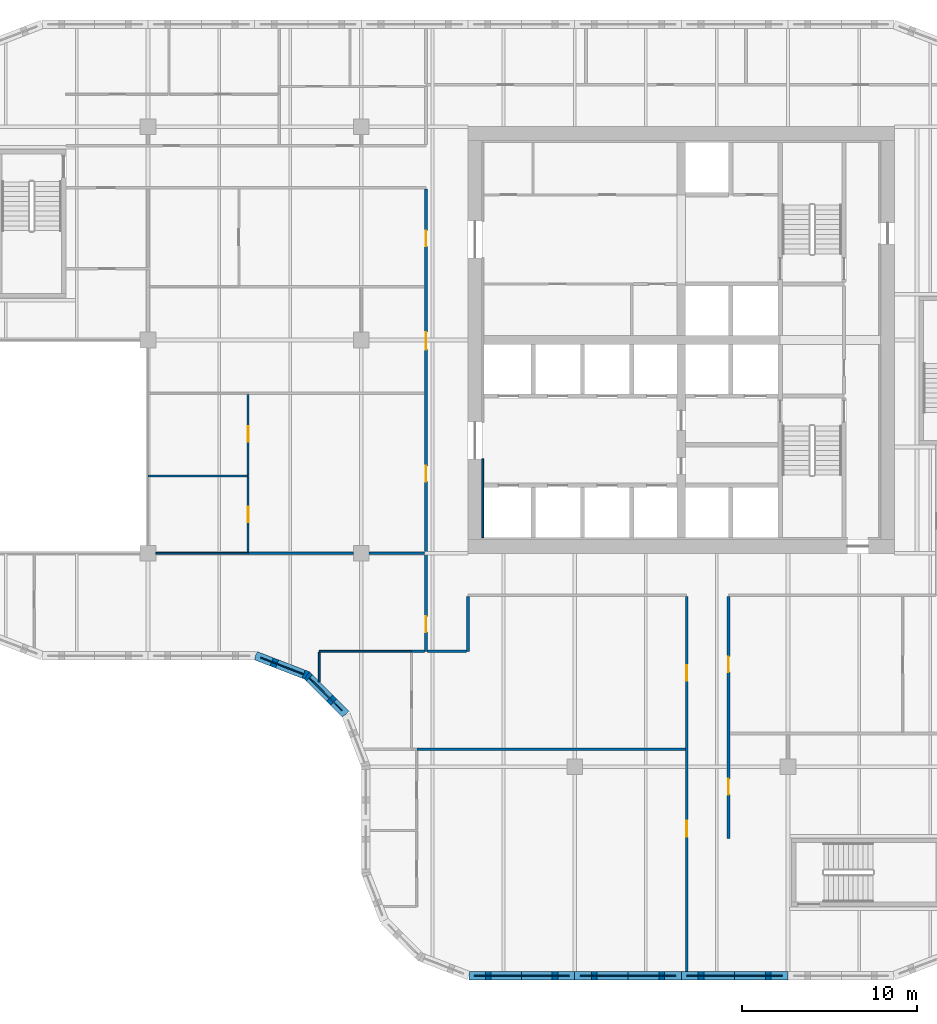
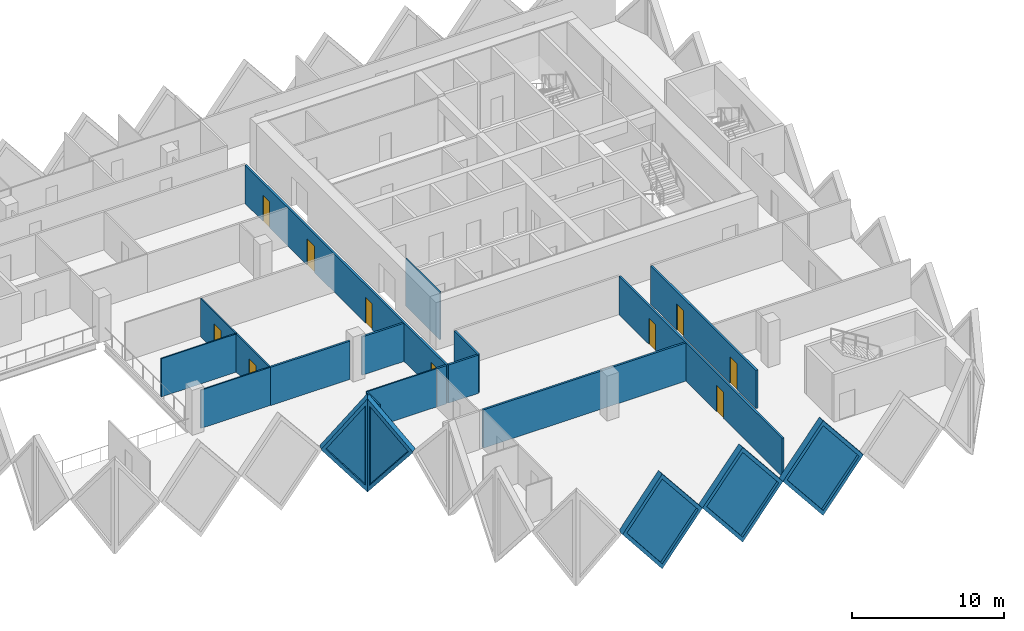
# One storey, part 5 of 18: 21 walls, 10 doors, 5 plates, 15 openings.
"""IFC4 building model written with IfcOpenShell, lengths in metres."""

import ifcopenshell
import ifcopenshell.guid

model = None  # the IFC model being written
_history = None  # IfcOwnerHistory: only IFC2X3 demands one
_inside = {}  # id of a spatial element -> (the spatial element, [elements in it])
_under = {}  # id of a project, library or spatial element -> (it, [spatial elements below it])
_declared = {}  # id of a project -> (the project, [libraries it declares])
_typed = {}  # id of a type object -> (the type object, [elements of that type])
_made_of = {}  # id of a material, layer set ... -> (it, [elements and type objects made of it])


def new_model(schema):
    """Start an empty IFC model of exactly this schema.

    Asked for "IFC4X3", IfcOpenShell would pick the latest addendum, in which some entities
    have other attributes; the version numbers below select the first issue.
    IFC2X3 requires an IfcOwnerHistory on every rooted entity: one is made here for all.
    """
    global model, _history
    if schema == "IFC4X3":
        model = ifcopenshell.file(schema_version=(4, 3, 0, 0))
    else:
        model = ifcopenshell.file(schema=schema)
    _inside.clear()
    _under.clear()
    _declared.clear()
    _typed.clear()
    _made_of.clear()
    _history = None
    if model.schema == "IFC2X3":
        org = make("IfcOrganization", Name="unknown")
        user = make(
            "IfcPersonAndOrganization",
            ThePerson=make("IfcPerson", FamilyName="unknown"),
            TheOrganization=org,
        )
        app = make(
            "IfcApplication",
            ApplicationDeveloper=org,
            Version="unknown",
            ApplicationFullName="unknown",
            ApplicationIdentifier="unknown",
        )
        _history = make(
            "IfcOwnerHistory",
            OwningUser=user,
            OwningApplication=app,
            ChangeAction="ADDED",
            CreationDate=0,
        )
    return model


def make(cls, **values):
    """One entity of the class cls with the attributes given. An attribute that is None is left unset."""
    return model.create_entity(
        cls, **{name: value for name, value in values.items() if value is not None}
    )


def rooted(cls, **values):
    """An entity with a GlobalId (a new one), such as an element, a storey or a relation."""
    return make(cls, GlobalId=ifcopenshell.guid.new(), OwnerHistory=_history, **values)


def si_unit(unit_type, name, prefix=None):
    """IfcSIUnit, for example si_unit("LENGTHUNIT", "METRE", prefix="MILLI")."""
    return make("IfcSIUnit", UnitType=unit_type, Prefix=prefix, Name=name)


def assignment(units):
    """IfcUnitAssignment: the units of a project."""
    return None if units is None else make("IfcUnitAssignment", Units=units)


def point(xyz):
    """IfcCartesianPoint."""
    return None if xyz is None else make("IfcCartesianPoint", Coordinates=xyz)


def direction(xyz):
    """IfcDirection."""
    return None if xyz is None else make("IfcDirection", DirectionRatios=xyz)


def frame(location, z_axis=None, x_axis=None):
    """IfcAxis2Placement3D, a coordinate frame: its origin and axes. An axis left out is left unset."""
    return make(
        "IfcAxis2Placement3D",
        Location=point(location),
        Axis=direction(z_axis),
        RefDirection=direction(x_axis),
    )


def frame_2d(location, x_axis=None):
    """IfcAxis2Placement2D, a coordinate frame in the plane: its origin and x axis."""
    return make(
        "IfcAxis2Placement2D", Location=point(location), RefDirection=direction(x_axis)
    )


def origin():
    """The frame at (0, 0, 0) with its axes left unset."""
    return frame((0.0, 0.0, 0.0))


def place(relative_to, where):
    """IfcLocalPlacement: puts the frame where relative to a parent placement (None: the world)."""
    return make(
        "IfcLocalPlacement", PlacementRelTo=relative_to, RelativePlacement=where
    )


def context(
    kind, dimensions, precision=None, world=None, true_north=None, identifier=None
):
    """IfcGeometricRepresentationContext, for example the 3D "Model" context."""
    return make(
        "IfcGeometricRepresentationContext",
        ContextIdentifier=identifier,
        ContextType=kind,
        CoordinateSpaceDimension=dimensions,
        Precision=precision,
        WorldCoordinateSystem=world,
        TrueNorth=true_north,
    )


def subcontext(parent, identifier, kind, view, scale=None):
    """IfcGeometricRepresentationSubContext, for example "Body" below "Model"."""
    return make(
        "IfcGeometricRepresentationSubContext",
        ContextIdentifier=identifier,
        ContextType=kind,
        ParentContext=parent,
        TargetScale=scale,
        TargetView=view,
    )


def project(units=None, contexts=None):
    """IfcProject with its units and contexts."""
    return rooted(
        "IfcProject",
        Name="project",
        RepresentationContexts=contexts,
        UnitsInContext=assignment(units),
    )


def spatial(cls, under=None, at=None, **own):
    """A site, building, storey or space (cls), placed at a placement, below another one or the project."""
    s = rooted(cls, ObjectPlacement=at, **own)
    if under is not None:
        _under.setdefault(under.id(), (under, []))[1].append(s)
    return s


def polyline(points):
    """IfcPolyline through the points."""
    return make("IfcPolyline", Points=[point(p) for p in points])


def profile(cls, at=None, kind="AREA", **sizes):
    """A parametric profile (cls). Its sizes go by their IFC names, for example OverallWidth=200.0."""
    return make(cls, ProfileType=kind, Position=at, **sizes)


def rectangle(**sizes):
    """IfcRectangleProfileDef."""
    return profile("IfcRectangleProfileDef", **sizes)


def outline(outer, holes=None, kind="AREA"):
    """IfcArbitraryClosedProfileDef: a profile drawn as a closed curve; with holes, ...WithVoids."""
    if holes is None:
        return make("IfcArbitraryClosedProfileDef", ProfileType=kind, OuterCurve=outer)
    return make(
        "IfcArbitraryProfileDefWithVoids",
        ProfileType=kind,
        OuterCurve=outer,
        InnerCurves=holes,
    )


def extrude(swept, where, along, depth):
    """IfcExtrudedAreaSolid: the profile swept, set in the frame where, extruded along a direction by depth."""
    return make(
        "IfcExtrudedAreaSolid",
        SweptArea=swept,
        Position=where,
        ExtrudedDirection=direction(along),
        Depth=depth,
    )


def faces_of(points, faces, orient=None, outer=None):
    """IfcFace entities. A face is a list of loops; a loop is a list of indices into points, from 0.

    orient and outer hold one flag for each loop. By default every Orientation is true, the
    first loop of a face is its IfcFaceOuterBound and the others are IfcFaceBound.
    """
    made = []
    for i, loops in enumerate(faces):
        bounds = []
        for j, loop in enumerate(loops):
            is_outer = j == 0 if outer is None else outer[i][j]
            bounds.append(
                make(
                    "IfcFaceOuterBound" if is_outer else "IfcFaceBound",
                    Bound=make("IfcPolyLoop", Polygon=[points[k] for k in loop]),
                    Orientation=True if orient is None else orient[i][j],
                )
            )
        made.append(make("IfcFace", Bounds=bounds))
    return made


def faceted_brep(points, faces, orient=None, outer=None, voids=None):
    """IfcFacetedBrep: a solid bounded by flat faces; with voids (closed shells), ...WithVoids."""
    shared = [point(p) for p in points]
    hull = make("IfcClosedShell", CfsFaces=faces_of(shared, faces, orient, outer))
    if voids is None:
        return make("IfcFacetedBrep", Outer=hull)
    return make(
        "IfcFacetedBrepWithVoids",
        Outer=hull,
        Voids=[
            make(cls, CfsFaces=faces_of(shared, fs, o, b)) for cls, fs, o, b in voids
        ],
    )


def shape(context_of_items, identifier, shape_type, items):
    """IfcShapeRepresentation: the items that make up one representation, for example the "Body"."""
    return make(
        "IfcShapeRepresentation",
        ContextOfItems=context_of_items,
        RepresentationIdentifier=identifier,
        RepresentationType=shape_type,
        Items=items,
    )


def source(mapping_origin, context_of_items, identifier, shape_type, items):
    """IfcRepresentationMap: a shape defined once, which mapped items show again and again."""
    return make(
        "IfcRepresentationMap",
        MappingOrigin=mapping_origin,
        MappedRepresentation=shape(context_of_items, identifier, shape_type, items),
    )


def transform(
    local_origin,
    x_axis=None,
    y_axis=None,
    z_axis=None,
    scale=None,
    scale2=None,
    scale3=None,
    uniform=True,
):
    """IfcCartesianTransformationOperator3D, or its non-uniform kind. x_axis, y_axis, z_axis: its Axis1, 2, 3."""
    if uniform:
        return make(
            "IfcCartesianTransformationOperator3D",
            Axis1=direction(x_axis),
            Axis2=direction(y_axis),
            LocalOrigin=point(local_origin),
            Scale=scale,
            Axis3=direction(z_axis),
        )
    return make(
        "IfcCartesianTransformationOperator3DnonUniform",
        Axis1=direction(x_axis),
        Axis2=direction(y_axis),
        LocalOrigin=point(local_origin),
        Scale=scale,
        Axis3=direction(z_axis),
        Scale2=scale2,
        Scale3=scale3,
    )


def mapped(mapping_source, mapping_target):
    """IfcMappedItem: shows the shape of a source again, moved by a transform."""
    return make(
        "IfcMappedItem", MappingSource=mapping_source, MappingTarget=mapping_target
    )


def material(Name=None, Category=None):
    """IfcMaterial."""
    return make("IfcMaterial", Name=Name, Category=Category)


def layer(
    of_material, thickness, ventilated=None, Name=None, Category=None, Priority=None
):
    """IfcMaterialLayer: one layer of a wall or slab, of a material (None: an air gap)."""
    return make(
        "IfcMaterialLayer",
        Material=of_material,
        LayerThickness=thickness,
        IsVentilated=ventilated,
        Name=Name,
        Category=Category,
        Priority=Priority,
    )


def layer_set(layers, Name=None):
    """IfcMaterialLayerSet."""
    return make("IfcMaterialLayerSet", MaterialLayers=layers, LayerSetName=Name)


def made_of(thing, what):
    """Note that an element or type object is made of a material, layer set ...; save() writes the relation."""
    if what is not None:
        _made_of.setdefault(what.id(), (what, []))[1].append(thing)
    return thing


def type_object(cls, material=None, **own):
    """A type object (cls), such as IfcWallType, which elements share."""
    return made_of(rooted(cls, **own), material)


def element(
    cls,
    number,
    at=None,
    inside=None,
    cuts=None,
    type_object=None,
    material=None,
    context=None,
    identifier="Body",
    shape_type=None,
    held_by="IfcProductDefinitionShape",
    body=None,
    shapes=None,
    **own,
):
    """One element of the class cls, such as IfcWall. Its Tag is "e" and its number.

    at: its placement. inside: the storey or other place that contains it. cuts: it is an
    opening in that element (IfcRelVoidsElement). A single representation is given by context,
    identifier, shape_type and body (its items); several are given by shapes. held_by: the class
    of the entity that holds the representations. save() writes the other relations.
    """
    e = rooted(cls, Tag="e%d" % number, ObjectPlacement=at, **own)
    if body is not None:
        shapes = [shape(context, identifier, shape_type, body)]
    if shapes is not None:
        e.Representation = make(held_by, Representations=shapes)
    if inside is not None:
        _inside.setdefault(inside.id(), (inside, []))[1].append(e)
    if cuts is not None:
        rooted(
            "IfcRelVoidsElement", RelatingBuildingElement=cuts, RelatedOpeningElement=e
        )
    if type_object is not None:
        _typed.setdefault(type_object.id(), (type_object, []))[1].append(e)
    return made_of(e, material)


def fill(opening, filler):
    """IfcRelFillsElement: the door or window that sits in an opening."""
    return rooted(
        "IfcRelFillsElement",
        RelatingOpeningElement=opening,
        RelatedBuildingElement=filler,
    )


def aggregate(whole, parts):
    """IfcRelAggregates: a whole, such as a stair, and the parts it consists of."""
    return rooted("IfcRelAggregates", RelatingObject=whole, RelatedObjects=parts)


def save(model, path):
    """Write the relations noted so far, then the file.

    IfcRelAggregates (storeys below a building ...), IfcRelContainedInSpatialStructure (elements
    in a storey), IfcRelDefinesByType, IfcRelAssociatesMaterial and IfcRelDeclares: one each for
    every whole, place, type object, material and project.
    """
    for whole, parts in _under.values():
        aggregate(whole, parts)
    for where, things in _inside.values():
        rooted(
            "IfcRelContainedInSpatialStructure",
            RelatedElements=things,
            RelatingStructure=where,
        )
    for kind, things in _typed.values():
        rooted("IfcRelDefinesByType", RelatedObjects=things, RelatingType=kind)
    for what, things in _made_of.values():
        rooted("IfcRelAssociatesMaterial", RelatedObjects=things, RelatingMaterial=what)
    for by, libraries in _declared.values():
        rooted("IfcRelDeclares", RelatingContext=by, RelatedDefinitions=libraries)
    model.write(path)


model = new_model("IFC4")

# Units and contexts
model_context = context("Model", 3, precision=1e-05, world=origin(), true_north=direction((0.0, 1.0)))
body_context = subcontext(model_context, "Body", "Model", "MODEL_VIEW")
ifc_project = project(units=[si_unit("LENGTHUNIT", "METRE"), si_unit("AREAUNIT", "SQUARE_METRE"), si_unit("VOLUMEUNIT", "CUBIC_METRE"), si_unit("PLANEANGLEUNIT", "RADIAN"), si_unit("MASSUNIT", "GRAM", prefix="KILO")], contexts=[model_context])

# Site, building, storey
site_placement = place(None, origin())
site = spatial("IfcSite", under=ifc_project, at=site_placement, CompositionType="ELEMENT")
building_placement = place(site_placement, origin())
building = spatial("IfcBuilding", under=site, at=building_placement, Name="Tessera Gate Towers", CompositionType="ELEMENT")
storey_placement = place(building_placement, frame((0.0, 0.0, 95.199951171875)))
storey = spatial("IfcBuildingStorey", under=building, at=storey_placement, Name="L23", CompositionType="ELEMENT", Elevation=95.199951171875)

# Wall
ifc_material_1 = material(Name="Concrete C60/75", Category="concrete")
ifc_layer_1 = layer(ifc_material_1, 0.10009765625)
ifc_layer_set_1 = layer_set([ifc_layer_1], Name="CORE WALL THICKENING 100")
wall_type_1 = type_object("IfcWallType", Name="CORE WALL THICKENING 100", PredefinedType="SOLIDWALL", material=ifc_layer_set_1)
wall_1_placement = place(storey_placement, frame((31.35009765625, 25.300048828125, 0.0), z_axis=(0.0, 0.0, 1.0), x_axis=(0.0, 1.0, 0.0)))
element("IfcWall", 1, at=wall_1_placement, inside=storey, type_object=wall_type_1, Name="Core wall thickening W L23", PredefinedType="SOLIDWALL", context=body_context, shape_type="SweptSolid", body=[
    extrude(rectangle(XDim=4.5, YDim=0.10009765625, at=frame_2d((2.25, 0.0))), origin(), (0.0, 0.0, 1.0), 3.800048828125),
])

# Wall, openings, doors
ifc_material_2 = material(Name="Gypsum board on steel studs, mineral wool", Category="steel")
ifc_layer_2 = layer(ifc_material_2, 0.14990234375)
ifc_layer_set_2 = layer_set([ifc_layer_2], Name="CORRIDOR WALL 150")
wall_type_2 = type_object("IfcWallType", Name="CORRIDOR WALL 150", PredefinedType="PARTITIONING", material=ifc_layer_set_2)
wall_2_placement = place(storey_placement, frame((43.0, 0.5, 0.0), z_axis=(0.0, 0.0, 1.0), x_axis=(0.0, 1.0, 0.0)))
wall_2 = element("IfcWall", 2, at=wall_2_placement, inside=storey, type_object=wall_type_2, Name="T1-L23-PW-001", PredefinedType="PARTITIONING", context=body_context, shape_type="SweptSolid", body=[
    extrude(rectangle(XDim=21.424072265625, YDim=0.14990234375, at=frame_2d((10.7119140625, 0.0))), origin(), (0.0, 0.0, 1.0), 3.067138671875),
])
shared_shape_1 = source(origin(), body_context, "Body", "SweptSolid", [
    extrude(rectangle(XDim=0.89990234375, YDim=2.10009765625, at=frame_2d((0.449951171875, 1.050048828125))), frame((0.0, 0.0849609375, 0.0), z_axis=(0.0, -1.0, 0.0), x_axis=(1.0, 0.0, 0.0)), (0.0, 0.0, 1.0), 0.169921875),
])
opening_1_placement = place(wall_2_placement, frame((16.60107421875, 0.0, 0.0)))
opening_1 = element("IfcOpeningElement", 3, at=opening_1_placement, cuts=wall_2, Name="Opening D890FD60-A08-07", PredefinedType="OPENING", context=body_context, shape_type="MappedRepresentation", body=[
    mapped(shared_shape_1, transform((0.0, 0.0, 0.0), scale=1.0)),
])
opening_2_placement = place(wall_2_placement, frame((7.699951171875, 0.0, 0.0)))
opening_2 = element("IfcOpeningElement", 4, at=opening_2_placement, cuts=wall_2, Name="Opening D890FD60-A08-08", PredefinedType="OPENING", context=body_context, shape_type="MappedRepresentation", body=[
    mapped(shared_shape_1, transform((0.0, 0.0, 0.0), scale=1.0)),
])
ifc_material_3 = material(Name="Timber door leaf in steel frame", Category="steel")
door_type_1 = type_object("IfcDoorType", Name="CORRIDOR DOOR 900 FD60", OperationType="NOTDEFINED", PredefinedType="DOOR", material=ifc_material_3)
shared_shape_2 = source(origin(), body_context, "Body", "SweptSolid", [
    extrude(rectangle(XDim=0.89990234375, YDim=2.10009765625, at=frame_2d((0.449951171875, 1.050048828125))), frame((0.0, 0.02490234375, 0.0), z_axis=(0.0, -1.0, 0.0), x_axis=(1.0, 0.0, 0.0)), (0.0, 0.0, 1.0), 0.050048828125),
])
door_1_placement = place(opening_1_placement, origin())
door_1 = element("IfcDoor", 5, at=door_1_placement, inside=storey, type_object=door_type_1, Name="T1-L23-PD-022", OperationType="SINGLE_SWING_LEFT", OverallHeight=2.10009765625, OverallWidth=0.89990234375, PredefinedType="DOOR", context=body_context, shape_type="MappedRepresentation", body=[
    mapped(shared_shape_2, transform((0.0, 0.0, 0.0), scale=1.0)),
])
fill(opening_1, door_1)
door_2_placement = place(opening_2_placement, origin())
door_2 = element("IfcDoor", 6, at=door_2_placement, inside=storey, type_object=door_type_1, Name="T1-L23-PD-023", OperationType="SINGLE_SWING_LEFT", OverallHeight=2.10009765625, OverallWidth=0.89990234375, PredefinedType="DOOR", context=body_context, shape_type="MappedRepresentation", body=[
    mapped(shared_shape_2, transform((0.0, 0.0, 0.0), scale=1.0)),
])
fill(opening_2, door_2)

wall_3_placement = place(storey_placement, frame((45.39990234375, 21.924072265625, 0.0), z_axis=(0.0, 0.0, 1.0), x_axis=(0.0, -1.0, 0.0)))
wall_3 = element("IfcWall", 7, at=wall_3_placement, inside=storey, type_object=wall_type_2, Name="T1-L23-PW-005", PredefinedType="PARTITIONING", context=body_context, shape_type="SweptSolid", body=[
    extrude(rectangle(XDim=13.823974609375, YDim=0.14990234375, at=frame_2d((6.912109375, 0.0))), origin(), (0.0, 0.0, 1.0), 3.067138671875),
])
opening_3_placement = place(wall_3_placement, frame((10.424072265625, 0.0, 0.0)))
opening_3 = element("IfcOpeningElement", 8, at=opening_3_placement, cuts=wall_3, Name="Opening D890FD60-A08-03", PredefinedType="OPENING", context=body_context, shape_type="MappedRepresentation", body=[
    mapped(shared_shape_1, transform((0.0, 0.0, 0.0), scale=1.0)),
])
opening_4_placement = place(wall_3_placement, frame((3.424072265625, 0.0, 0.0)))
opening_4 = element("IfcOpeningElement", 9, at=opening_4_placement, cuts=wall_3, Name="Opening D890FD60-A08-04", PredefinedType="OPENING", context=body_context, shape_type="MappedRepresentation", body=[
    mapped(shared_shape_1, transform((0.0, 0.0, 0.0), scale=1.0)),
])
door_3_placement = place(opening_3_placement, origin())
door_3 = element("IfcDoor", 10, at=door_3_placement, inside=storey, type_object=door_type_1, Name="T1-L23-PD-014", OperationType="SINGLE_SWING_RIGHT", OverallHeight=2.10009765625, OverallWidth=0.89990234375, PredefinedType="DOOR", context=body_context, shape_type="MappedRepresentation", body=[
    mapped(shared_shape_2, transform((0.0, 0.0, 0.0), scale=1.0)),
])
fill(opening_3, door_3)
door_4_placement = place(opening_4_placement, origin())
door_4 = element("IfcDoor", 11, at=door_4_placement, inside=storey, type_object=door_type_1, Name="T1-L23-PD-019", OperationType="SINGLE_SWING_RIGHT", OverallHeight=2.10009765625, OverallWidth=0.89990234375, PredefinedType="DOOR", context=body_context, shape_type="MappedRepresentation", body=[
    mapped(shared_shape_2, transform((0.0, 0.0, 0.0), scale=1.0)),
])
fill(opening_4, door_4)

wall_4_placement = place(storey_placement, frame((28.10009765625, 18.800048828125, 0.0), z_axis=(0.0, 0.0, 1.0), x_axis=(0.0, 1.0, 0.0)))
wall_4 = element("IfcWall", 12, at=wall_4_placement, inside=storey, type_object=wall_type_2, Name="T1-L23-PW-018", PredefinedType="PARTITIONING", context=body_context, shape_type="SweptSolid", body=[
    extrude(rectangle(XDim=26.424072265625, YDim=0.14990234375, at=frame_2d((13.2119140625, 0.0))), origin(), (0.0, 0.0, 1.0), 3.067138671875),
])
opening_5_placement = place(wall_4_placement, frame((1.10009765625, 0.0, 0.0)))
opening_5 = element("IfcOpeningElement", 13, at=opening_5_placement, cuts=wall_4, Name="Opening D890FD60-A08-01", PredefinedType="OPENING", context=body_context, shape_type="MappedRepresentation", body=[
    mapped(shared_shape_1, transform((0.0, 0.0, 0.0), scale=1.0)),
])
opening_6_placement = place(wall_4_placement, frame((23.15087890625, 0.0, 0.0)))
opening_6 = element("IfcOpeningElement", 14, at=opening_6_placement, cuts=wall_4, Name="Opening D890FD60-A08-02", PredefinedType="OPENING", context=body_context, shape_type="MappedRepresentation", body=[
    mapped(shared_shape_1, transform((0.0, 0.0, 0.0), scale=1.0)),
])
shared_shape_3 = source(origin(), body_context, "Body", "SweptSolid", [
    extrude(rectangle(XDim=1.0, YDim=2.10009765625, at=frame_2d((0.5, 1.050048828125))), frame((0.0, 0.0849609375, 0.0), z_axis=(0.0, -1.0, 0.0), x_axis=(1.0, 0.0, 0.0)), (0.0, 0.0, 1.0), 0.169921875),
])
opening_7_placement = place(wall_4_placement, frame((17.2509765625, 0.0, 0.0)))
opening_7 = element("IfcOpeningElement", 15, at=opening_7_placement, cuts=wall_4, Name="Opening D2100FD60-A08-02", PredefinedType="OPENING", context=body_context, shape_type="MappedRepresentation", body=[
    mapped(shared_shape_3, transform((0.0, 0.0, 0.0), scale=1.0)),
])
opening_8_placement = place(wall_4_placement, frame((9.699951171875, 0.0, 0.0)))
opening_8 = element("IfcOpeningElement", 16, at=opening_8_placement, cuts=wall_4, Name="Opening D890FD60-A08-11", PredefinedType="OPENING", context=body_context, shape_type="MappedRepresentation", body=[
    mapped(shared_shape_1, transform((0.0, 0.0, 0.0), scale=1.0)),
])
door_5_placement = place(opening_5_placement, origin())
door_5 = element("IfcDoor", 17, at=door_5_placement, inside=storey, type_object=door_type_1, Name="T1-L23-PD-001", OperationType="SINGLE_SWING_LEFT", OverallHeight=2.10009765625, OverallWidth=0.89990234375, PredefinedType="DOOR", context=body_context, shape_type="MappedRepresentation", body=[
    mapped(shared_shape_2, transform((0.0, 0.0, 0.0), scale=1.0)),
])
fill(opening_5, door_5)
door_6_placement = place(opening_6_placement, origin())
door_6 = element("IfcDoor", 18, at=door_6_placement, inside=storey, type_object=door_type_1, Name="T1-L23-PD-012", OperationType="SINGLE_SWING_LEFT", OverallHeight=2.10009765625, OverallWidth=0.89990234375, PredefinedType="DOOR", context=body_context, shape_type="MappedRepresentation", body=[
    mapped(shared_shape_2, transform((0.0, 0.0, 0.0), scale=1.0)),
])
fill(opening_6, door_6)
door_7_placement = place(opening_8_placement, origin())
door_7 = element("IfcDoor", 19, at=door_7_placement, inside=storey, type_object=door_type_1, Name="T1-L23-PD-026", OperationType="SINGLE_SWING_LEFT", OverallHeight=2.10009765625, OverallWidth=0.89990234375, PredefinedType="DOOR", context=body_context, shape_type="MappedRepresentation", body=[
    mapped(shared_shape_2, transform((0.0, 0.0, 0.0), scale=1.0)),
])
fill(opening_8, door_7)
ifc_material_4 = material(Name="Timber door leaf in steel frame", Category="steel")
door_type_2 = type_object("IfcDoorType", Name="TENANCY ENTRANCE DOOR 1000 FD60", OperationType="NOTDEFINED", PredefinedType="DOOR", material=ifc_material_4)
shared_shape_4 = source(origin(), body_context, "Body", "SweptSolid", [
    extrude(rectangle(XDim=1.0, YDim=2.10009765625, at=frame_2d((0.5, 1.050048828125))), frame((0.0, 0.02490234375, 0.0), z_axis=(0.0, -1.0, 0.0), x_axis=(1.0, 0.0, 0.0)), (0.0, 0.0, 1.0), 0.050048828125),
])
door_8_placement = place(opening_7_placement, origin())
door_8 = element("IfcDoor", 20, at=door_8_placement, inside=storey, type_object=door_type_2, Name="T1-L23-PD-015", OperationType="SINGLE_SWING_LEFT", OverallHeight=2.10009765625, OverallWidth=1.0, PredefinedType="DOOR", context=body_context, shape_type="MappedRepresentation", body=[
    mapped(shared_shape_4, transform((0.0, 0.0, 0.0), scale=1.0)),
])
fill(opening_7, door_8)

# Walls
wall_5_placement = place(storey_placement, frame((28.176025390625, 18.800048828125, 0.0), z_axis=(0.0, 0.0, 1.0), x_axis=(1.0, 0.0, 0.0)))
element("IfcWall", 21, at=wall_5_placement, inside=storey, type_object=wall_type_2, Name="T1-L23-PW-019", PredefinedType="PARTITIONING", context=body_context, shape_type="SweptSolid", body=[
    extrude(rectangle(XDim=2.248046875, YDim=0.14990234375, at=frame_2d((1.1240234375, 0.0))), origin(), (0.0, 0.0, 1.0), 3.067138671875),
])
wall_6_placement = place(storey_placement, frame((30.5, 18.800048828125, 0.0), z_axis=(0.0, 0.0, 1.0), x_axis=(0.0, 1.0, 0.0)))
element("IfcWall", 22, at=wall_6_placement, inside=storey, type_object=wall_type_2, Name="T1-L23-PW-020", PredefinedType="PARTITIONING", context=body_context, shape_type="SweptSolid", body=[
    extrude(rectangle(XDim=3.1240234375, YDim=0.14990234375, at=frame_2d((1.56201171875, 0.0))), origin(), (0.0, 0.0, 1.0), 3.067138671875),
])
ifc_material_5 = material(Name="Glass", Category="glass")
ifc_layer_3 = layer(ifc_material_5, 0.10009765625)
ifc_layer_set_3 = layer_set([ifc_layer_3], Name="GLAZED PARTITION 100")
wall_type_3 = type_object("IfcWallType", Name="GLAZED PARTITION 100", PredefinedType="PARTITIONING", material=ifc_layer_set_3)
wall_7_placement = place(storey_placement, frame((22.0, 17.054931640625, 0.0), z_axis=(0.0, 0.0, 1.0), x_axis=(0.0, 1.0, 0.0)))
element("IfcWall", 23, at=wall_7_placement, inside=storey, type_object=wall_type_3, Name="T1-L23-PW-015", PredefinedType="PARTITIONING", context=body_context, shape_type="SweptSolid", body=[
    extrude(rectangle(XDim=1.694091796875, YDim=0.10009765625, at=frame_2d((0.84716796875, 0.0))), origin(), (0.0, 0.0, 1.0), 3.067138671875),
])
wall_8_placement = place(storey_placement, frame((22.0, 18.800048828125, 0.0), z_axis=(0.0, 0.0, 1.0), x_axis=(1.0, 0.0, 0.0)))
element("IfcWall", 24, at=wall_8_placement, inside=storey, type_object=wall_type_3, Name="T1-L23-PW-016", PredefinedType="PARTITIONING", context=body_context, shape_type="SweptSolid", body=[
    extrude(rectangle(XDim=5.27392578125, YDim=0.10009765625, at=frame_2d((2.636962890625, 0.0))), origin(), (0.0, 0.0, 1.0), 3.067138671875),
])
wall_9_placement = place(storey_placement, frame((12.65087890625, 24.39990234375, 0.0), z_axis=(0.0, 0.0, 1.0), x_axis=(1.0, 0.0, 0.0)))
element("IfcWall", 25, at=wall_9_placement, inside=storey, type_object=wall_type_3, Name="T1-L23-PW-026", PredefinedType="PARTITIONING", context=body_context, shape_type="SweptSolid", body=[
    extrude(rectangle(XDim=5.273193359375, YDim=0.10009765625, at=frame_2d((2.63671875, 0.0))), origin(), (0.0, 0.0, 1.0), 3.067138671875),
])

# Wall, opening, door
wall_10_placement = place(storey_placement, frame((17.925048828125, 24.47607421875, 0.0), z_axis=(0.0, 0.0, 1.0), x_axis=(0.0, 1.0, 0.0)))
wall_10 = element("IfcWall", 26, at=wall_10_placement, inside=storey, type_object=wall_type_3, Name="T1-L23-PW-029", PredefinedType="PARTITIONING", context=body_context, shape_type="SweptSolid", body=[
    extrude(rectangle(XDim=4.293212890625, YDim=0.10009765625, at=frame_2d((2.146484375, 0.0))), origin(), (0.0, 0.0, 1.0), 3.067138671875),
])
shared_shape_5 = source(origin(), body_context, "Body", "SweptSolid", [
    extrude(rectangle(XDim=0.89990234375, YDim=2.10009765625, at=frame_2d((0.449951171875, 1.050048828125))), frame((0.0, 0.06005859375, 0.0), z_axis=(0.0, -1.0, 0.0), x_axis=(1.0, 0.0, 0.0)), (0.0, 0.0, 1.0), 0.1201171875),
])
opening_9_placement = place(wall_10_placement, frame((1.699951171875, 0.0, 0.0)))
opening_9 = element("IfcOpeningElement", 27, at=opening_9_placement, cuts=wall_10, Name="Opening D690-A08-01", PredefinedType="OPENING", context=body_context, shape_type="MappedRepresentation", body=[
    mapped(shared_shape_5, transform((0.0, 0.0, 0.0), scale=1.0)),
])
ifc_material_6 = material(Name="Glass in aluminium frame", Category="aluminium")
door_type_3 = type_object("IfcDoorType", Name="GLAZED DOOR 900 NOT RATED", OperationType="NOTDEFINED", PredefinedType="DOOR", material=ifc_material_6)
door_9_placement = place(opening_9_placement, origin())
door_9 = element("IfcDoor", 28, at=door_9_placement, inside=storey, type_object=door_type_3, Name="T1-L23-PD-004", OperationType="SINGLE_SWING_LEFT", OverallHeight=2.10009765625, OverallWidth=0.89990234375, PredefinedType="DOOR", context=body_context, shape_type="MappedRepresentation", body=[
    mapped(shared_shape_2, transform((0.0, 0.0, 0.0), scale=1.0)),
])
fill(opening_9, door_9)

wall_11_placement = place(storey_placement, frame((17.925048828125, 28.871337890625, 0.0), z_axis=(0.0, 0.0, 1.0), x_axis=(0.0, 1.0, 0.0)))
wall_11 = element("IfcWall", 29, at=wall_11_placement, inside=storey, type_object=wall_type_3, Name="T1-L23-PW-031", PredefinedType="PARTITIONING", context=body_context, shape_type="SweptSolid", body=[
    extrude(rectangle(XDim=4.602783203125, YDim=0.10009765625, at=frame_2d((2.30126953125, 0.0))), origin(), (0.0, 0.0, 1.0), 3.067138671875),
])
opening_10_placement = place(wall_11_placement, frame((1.89990234375, 0.0, 0.0)))
opening_10 = element("IfcOpeningElement", 30, at=opening_10_placement, cuts=wall_11, Name="Opening D690-A08-03", PredefinedType="OPENING", context=body_context, shape_type="MappedRepresentation", body=[
    mapped(shared_shape_5, transform((0.0, 0.0, 0.0), scale=1.0)),
])
door_10_placement = place(opening_10_placement, origin())
door_10 = element("IfcDoor", 31, at=door_10_placement, inside=storey, type_object=door_type_3, Name="T1-L23-PD-006", OperationType="SINGLE_SWING_LEFT", OverallHeight=2.10009765625, OverallWidth=0.89990234375, PredefinedType="DOOR", context=body_context, shape_type="MappedRepresentation", body=[
    mapped(shared_shape_2, transform((0.0, 0.0, 0.0), scale=1.0)),
])
fill(opening_10, door_10)

# Walls
ifc_material_7 = material(Name="Gypsum board on steel studs", Category="steel")
ifc_layer_4 = layer(ifc_material_7, 0.10009765625)
ifc_layer_set_4 = layer_set([ifc_layer_4], Name="PARTITION 100")
wall_type_4 = type_object("IfcWallType", Name="PARTITION 100", PredefinedType="PARTITIONING", material=ifc_layer_set_4)
wall_12_placement = place(storey_placement, frame((12.199951171875, 28.820068359375, 0.0), z_axis=(0.0, 0.0, 1.0), x_axis=(1.0, 0.0, 0.0)))
element("IfcWall", 32, at=wall_12_placement, inside=storey, type_object=wall_type_4, Name="T1-L23-PW-030", PredefinedType="PARTITIONING", context=body_context, shape_type="SweptSolid", body=[
    extrude(rectangle(XDim=5.72509765625, YDim=0.10009765625, at=frame_2d((2.862548828125, 0.0))), origin(), (0.0, 0.0, 1.0), 3.067138671875),
])
ifc_material_8 = material(Name="Gypsum board on steel studs, mineral wool", Category="steel")
ifc_layer_5 = layer(ifc_material_8, 0.14990234375)
ifc_layer_set_5 = layer_set([ifc_layer_5], Name="TENANCY WALL 150")
wall_type_5 = type_object("IfcWallType", Name="TENANCY WALL 150", PredefinedType="PARTITIONING", material=ifc_layer_set_5)
wall_13_placement = place(storey_placement, frame((27.574951171875, 13.199951171875, 0.0), z_axis=(0.0, 0.0, 1.0), x_axis=(1.0, 0.0, 0.0)))
element("IfcWall", 33, at=wall_13_placement, inside=storey, type_object=wall_type_5, Name="T1-L23-PW-011", PredefinedType="PARTITIONING", context=body_context, shape_type="SweptSolid", body=[
    extrude(rectangle(XDim=15.34912109375, YDim=0.14990234375, at=frame_2d((7.674560546875, 0.0))), origin(), (0.0, 0.0, 1.0), 3.067138671875),
])
wall_14_placement = place(storey_placement, frame((27.27490234375, 18.800048828125, 0.0), z_axis=(0.0, 0.0, 1.0), x_axis=(1.0, 0.0, 0.0)))
element("IfcWall", 34, at=wall_14_placement, inside=storey, type_object=wall_type_5, Name="T1-L23-PW-017", PredefinedType="PARTITIONING", context=body_context, shape_type="SweptSolid", body=[
    extrude(rectangle(XDim=0.7490234375, YDim=0.14990234375, at=frame_2d((0.37451171875, 0.0))), origin(), (0.0, 0.0, 1.0), 3.067138671875),
])
wall_15_placement = place(storey_placement, frame((17.925048828125, 24.39990234375, 0.0), z_axis=(0.0, 0.0, 1.0), x_axis=(1.0, 0.0, 0.0)))
element("IfcWall", 35, at=wall_15_placement, inside=storey, type_object=wall_type_5, Name="T1-L23-PW-027", PredefinedType="PARTITIONING", context=body_context, shape_type="SweptSolid", body=[
    extrude(rectangle(XDim=6.02392578125, YDim=0.14990234375, at=frame_2d((3.011962890625, 0.0))), origin(), (0.0, 0.0, 1.0), 3.067138671875),
])
wall_16_placement = place(storey_placement, frame((24.85107421875, 24.39990234375, 0.0), z_axis=(0.0, 0.0, 1.0), x_axis=(1.0, 0.0, 0.0)))
element("IfcWall", 36, at=wall_16_placement, inside=storey, type_object=wall_type_5, Name="T1-L23-PW-028", PredefinedType="PARTITIONING", context=body_context, shape_type="SweptSolid", body=[
    extrude(rectangle(XDim=3.1728515625, YDim=0.14990234375, at=frame_2d((1.58642578125, 0.0))), origin(), (0.0, 0.0, 1.0), 3.067138671875),
])

# Wall, opening, plate
ifc_material_9 = material(Name="Precast concrete C60/75 white", Category="concrete")
ifc_layer_6 = layer(ifc_material_9, 0.5)
ifc_layer_set_6 = layer_set([ifc_layer_6], Name="TS1 tessera")
wall_type_6 = type_object("IfcWallType", Name="TS1 tessera", PredefinedType="SOLIDWALL", material=ifc_layer_set_6)
shared_shape_6 = source(origin(), body_context, "Body", "Brep", [
    faceted_brep([(3.00341796875, -0.25, 0.0), (6.053466796875, -0.25, 3.800048828125), (3.00341796875, -0.25, 7.60009765625), (0.0, -0.25, 3.800048828125), (0.046630859375, 0.25, 3.85888671875), (3.00341796875, 0.25, 7.60009765625), (6.053466796875, 0.25, 3.800048828125), (3.00341796875, 0.25, 0.0), (0.046630859375, 0.25, 3.7412109375), (0.0, 0.0, 3.800048828125)], [[[0, 1, 2, 3]], [[4, 5, 6, 7, 8]], [[7, 6, 1, 0]], [[6, 5, 2, 1]], [[5, 4, 9, 3, 2]], [[8, 7, 0, 3, 9]], [[8, 9, 4]]]),
])
wall_17_placement = place(storey_placement, frame((30.546630859375, 0.25, -3.800048828125), z_axis=(0.0, 0.0, 1.0), x_axis=(1.0, 0.0, 0.0)))
wall_17 = element("IfcWall", 37, at=wall_17_placement, inside=storey, type_object=wall_type_6, Name="Precast tessera T1 TS1-0368", PredefinedType="SOLIDWALL", context=body_context, shape_type="MappedRepresentation", body=[
    mapped(shared_shape_6, transform((0.0, 0.0, 0.0), scale=1.0)),
])
shared_shape_7 = source(origin(), body_context, "Body", "SweptSolid", [
    extrude(outline(polyline([(3.0048828125, 0.4013671875), (5.73291015625, 3.800048828125), (3.0048828125, 7.19873046875), (0.318603515625, 3.800048828125), (3.0048828125, 0.4013671875)])), frame((0.0, 0.260009765625, 0.0), z_axis=(0.0, -1.0, 0.0), x_axis=(1.0, 0.0, 0.0)), (0.0, 0.0, 1.0), 0.52001953125),
])
opening_11_placement = place(wall_17_placement, origin())
opening_11 = element("IfcOpeningElement", 38, at=opening_11_placement, cuts=wall_17, Name="Opening T1-PL2-0752", PredefinedType="OPENING", context=body_context, shape_type="MappedRepresentation", body=[
    mapped(shared_shape_7, transform((0.0, 0.0, 0.0), scale=1.0)),
])
ifc_material_10 = material(Name="Low-e laminated glass", Category="glass")
ifc_layer_7 = layer(ifc_material_10, 0.06005859375)
ifc_layer_set_7 = layer_set([ifc_layer_7], Name="PL2 rhombic pane")
plate_type = type_object("IfcPlateType", Name="PL2 rhombic pane", PredefinedType="SHEET", material=ifc_layer_set_7)
shared_shape_8 = source(origin(), body_context, "Body", "SweptSolid", [
    extrude(outline(polyline([(3.0048828125, 0.4013671875), (5.73291015625, 3.800048828125), (3.0048828125, 7.19873046875), (0.318603515625, 3.800048828125), (3.0048828125, 0.4013671875)])), frame((0.0, 0.030029296875, 0.0), z_axis=(0.0, -1.0, 0.0), x_axis=(1.0, 0.0, 0.0)), (0.0, 0.0, 1.0), 0.06005859375),
])
plate_1_placement = place(opening_11_placement, origin())
plate_1 = element("IfcPlate", 39, at=plate_1_placement, inside=storey, type_object=plate_type, Name="Glass pane T1 PL2-0752", PredefinedType="SHEET", context=body_context, shape_type="MappedRepresentation", body=[
    mapped(shared_shape_8, transform((0.0, 0.0, 0.0), scale=1.0)),
])
fill(opening_11, plate_1)

shared_shape_9 = source(origin(), body_context, "Body", "Brep", [
    faceted_brep([(3.050048828125, -0.25, 0.0), (6.099853515625, -0.25, 3.7998046875), (6.099853515625, -0.25, 3.80029296875), (3.050048828125, -0.25, 7.60009765625), (0.0, -0.25, 3.800048828125), (0.0, 0.25, 3.800048828125), (3.050048828125, 0.25, 7.60009765625), (6.099853515625, 0.25, 3.80029296875), (6.099853515625, 0.25, 3.7998046875), (3.050048828125, 0.25, 0.0)], [[[0, 1, 2, 3, 4]], [[5, 6, 7, 8, 9]], [[9, 8, 1, 0]], [[7, 6, 3, 2]], [[6, 5, 4, 3]], [[5, 9, 0, 4]], [[1, 8, 7, 2]]]),
])
wall_18_placement = place(storey_placement, frame((36.60009765625, 0.25, -3.800048828125), z_axis=(0.0, 0.0, 1.0), x_axis=(1.0, 0.0, 0.0)))
wall_18 = element("IfcWall", 40, at=wall_18_placement, inside=storey, type_object=wall_type_6, Name="Precast tessera T1 TS1-0369", PredefinedType="SOLIDWALL", context=body_context, shape_type="MappedRepresentation", body=[
    mapped(shared_shape_9, transform((0.0, 0.0, 0.0), scale=1.0)),
])
shared_shape_10 = source(origin(), body_context, "Body", "SweptSolid", [
    extrude(outline(polyline([(3.050048828125, 0.3994140625), (5.779541015625, 3.800048828125), (3.050048828125, 7.20068359375), (0.320556640625, 3.800048828125), (3.050048828125, 0.3994140625)])), frame((0.0, 0.260009765625, 0.0), z_axis=(0.0, -1.0, 0.0), x_axis=(1.0, 0.0, 0.0)), (0.0, 0.0, 1.0), 0.52001953125),
])
opening_12_placement = place(wall_18_placement, origin())
opening_12 = element("IfcOpeningElement", 41, at=opening_12_placement, cuts=wall_18, Name="Opening T1-PL2-0753", PredefinedType="OPENING", context=body_context, shape_type="MappedRepresentation", body=[
    mapped(shared_shape_10, transform((0.0, 0.0, 0.0), scale=1.0)),
])
shared_shape_11 = source(origin(), body_context, "Body", "SweptSolid", [
    extrude(outline(polyline([(3.050048828125, 0.3994140625), (5.779541015625, 3.800048828125), (3.050048828125, 7.20068359375), (0.320556640625, 3.800048828125), (3.050048828125, 0.3994140625)])), frame((0.0, 0.030029296875, 0.0), z_axis=(0.0, -1.0, 0.0), x_axis=(1.0, 0.0, 0.0)), (0.0, 0.0, 1.0), 0.06005859375),
])
plate_2_placement = place(opening_12_placement, origin())
plate_2 = element("IfcPlate", 42, at=plate_2_placement, inside=storey, type_object=plate_type, Name="Glass pane T1 PL2-0753", PredefinedType="SHEET", context=body_context, shape_type="MappedRepresentation", body=[
    mapped(shared_shape_11, transform((0.0, 0.0, 0.0), scale=1.0)),
])
fill(opening_12, plate_2)

shared_shape_12 = source(origin(), body_context, "Body", "SweptSolid", [
    extrude(outline(polyline([(3.050048828125, 0.0), (6.10009765625, 3.800048828125), (3.050048828125, 7.60009765625), (0.0, 3.800048828125), (3.050048828125, 0.0)])), frame((0.0, 0.25, 0.0), z_axis=(0.0, -1.0, 0.0), x_axis=(1.0, 0.0, 0.0)), (0.0, 0.0, 1.0), 0.5),
])
wall_19_placement = place(storey_placement, frame((42.699951171875, 0.25, -3.800048828125), z_axis=(0.0, 0.0, 1.0), x_axis=(1.0, 0.0, 0.0)))
wall_19 = element("IfcWall", 43, at=wall_19_placement, inside=storey, type_object=wall_type_6, Name="Precast tessera T1 TS1-0370", PredefinedType="SOLIDWALL", context=body_context, shape_type="MappedRepresentation", body=[
    mapped(shared_shape_12, transform((0.0, 0.0, 0.0), scale=1.0)),
])
opening_13_placement = place(wall_19_placement, origin())
opening_13 = element("IfcOpeningElement", 44, at=opening_13_placement, cuts=wall_19, Name="Opening T1-PL2-0754", PredefinedType="OPENING", context=body_context, shape_type="MappedRepresentation", body=[
    mapped(shared_shape_10, transform((0.0, 0.0, 0.0), scale=1.0)),
])
plate_3_placement = place(opening_13_placement, origin())
plate_3 = element("IfcPlate", 45, at=plate_3_placement, inside=storey, type_object=plate_type, Name="Glass pane T1 PL2-0754", PredefinedType="SHEET", context=body_context, shape_type="MappedRepresentation", body=[
    mapped(shared_shape_11, transform((0.0, 0.0, 0.0), scale=1.0)),
])
fill(opening_13, plate_3)

ifc_material_11 = material(Name="Precast concrete C60/75 white", Category="concrete")
ifc_layer_8 = layer(ifc_material_11, 0.5)
ifc_layer_set_8 = layer_set([ifc_layer_8], Name="TS3 corner tessera")
wall_type_7 = type_object("IfcWallType", Name="TS3 corner tessera", PredefinedType="SOLIDWALL", material=ifc_layer_set_8)
shared_shape_13 = source(origin(), body_context, "Body", "Brep", [
    faceted_brep([(3.096435546875, -0.25, 7.536376953125), (0.046630859375, -0.25, 3.856201171875), (0.046630859375, -0.25, 3.743896484375), (3.096435546875, -0.25, 0.063720703125), (0.0, 0.25, 3.800048828125), (3.1494140625, 0.25, 7.60009765625), (3.202392578125, 0.25, 7.536376953125), (3.202392578125, 0.25, 0.063720703125), (3.1494140625, 0.25, 0.0), (3.1494140625, -0.000244140625, 0.0), (3.1494140625, -0.000244140625, 7.60009765625), (0.0, 0.0, 3.800048828125)], [[[0, 1, 2, 3]], [[4, 5, 6, 7, 8]], [[8, 7, 9]], [[6, 5, 10]], [[5, 4, 11, 1, 0, 10]], [[4, 8, 9, 3, 2, 11]], [[11, 2, 1]], [[3, 9, 7, 6, 10, 0]]]),
])
wall_20_placement = place(storey_placement, frame((18.346435546875, 18.550048828125, -3.800048828125), z_axis=(0.0, 0.0, 1.0), x_axis=(0.932985567668, -0.359913782069, 0.0)))
wall_20 = element("IfcWall", 46, at=wall_20_placement, inside=storey, type_object=wall_type_7, Name="Precast corner tessera T1 TS3-0521", PredefinedType="SOLIDWALL", context=body_context, shape_type="MappedRepresentation", body=[
    mapped(shared_shape_13, transform((0.0, 0.0, 0.0), scale=1.0)),
])
shared_shape_14 = source(origin(), body_context, "Body", "SweptSolid", [
    extrude(outline(polyline([(2.949462890625, 6.967041015625), (0.32470703125, 3.800048828125), (2.949462890625, 0.63330078125), (2.949462890625, 6.967041015625)])), frame((0.0, 0.260009765625, 0.0), z_axis=(0.0, -1.0, 0.0), x_axis=(1.0, 0.0, 0.0)), (0.0, 0.0, 1.0), 0.52001953125),
])
opening_14_placement = place(wall_20_placement, origin())
opening_14 = element("IfcOpeningElement", 47, at=opening_14_placement, cuts=wall_20, Name="Opening T1-PL2-0791", PredefinedType="OPENING", context=body_context, shape_type="MappedRepresentation", body=[
    mapped(shared_shape_14, transform((0.0, 0.0, 0.0), scale=1.0)),
])
shared_shape_15 = source(origin(), body_context, "Body", "SweptSolid", [
    extrude(outline(polyline([(2.949462890625, 6.967041015625), (0.32470703125, 3.800048828125), (2.949462890625, 0.63330078125), (2.949462890625, 6.967041015625)])), frame((0.0, 0.030029296875, 0.0), z_axis=(0.0, -1.0, 0.0), x_axis=(1.0, 0.0, 0.0)), (0.0, 0.0, 1.0), 0.06005859375),
])
plate_4_placement = place(opening_14_placement, origin())
plate_4 = element("IfcPlate", 48, at=plate_4_placement, inside=storey, type_object=plate_type, Name="Glass pane T1 PL2-0791", PredefinedType="SHEET", context=body_context, shape_type="MappedRepresentation", body=[
    mapped(shared_shape_15, transform((0.0, 0.0, 0.0), scale=1.0)),
])
fill(opening_14, plate_4)

shared_shape_16 = source(origin(), body_context, "Body", "Brep", [
    faceted_brep([(0.10595703125, -0.25, 0.063720703125), (3.156005859375, -0.25, 3.736328125), (3.156005859375, -0.25, 3.86376953125), (0.10595703125, -0.25, 7.536376953125), (0.0, 0.25, 7.5361328125), (0.052978515625, 0.25, 7.60009765625), (3.208740234375, 0.25, 3.800048828125), (0.052978515625, 0.25, 0.0), (0.0, 0.25, 0.06396484375), (3.208740234375, -0.00048828125, 3.800048828125), (0.052978515625, 0.0, 0.0), (0.052978515625, 0.0, 7.60009765625)], [[[0, 1, 2, 3]], [[4, 5, 6, 7, 8]], [[7, 6, 9, 1, 0, 10]], [[6, 5, 11, 3, 2, 9]], [[5, 4, 11]], [[8, 7, 10]], [[8, 10, 0, 3, 11, 4]], [[1, 9, 2]]]),
])
wall_21_placement = place(storey_placement, frame((21.24755859375, 17.453857421875, -3.800048828125), z_axis=(0.0, 0.0, 1.0), x_axis=(0.707106781187, -0.707106781187, 0.0)))
wall_21 = element("IfcWall", 49, at=wall_21_placement, inside=storey, type_object=wall_type_7, Name="Precast corner tessera T1 TS3-0522", PredefinedType="SOLIDWALL", context=body_context, shape_type="MappedRepresentation", body=[
    mapped(shared_shape_16, transform((0.0, 0.0, 0.0), scale=1.0)),
])
shared_shape_17 = source(origin(), body_context, "Body", "SweptSolid", [
    extrude(outline(polyline([(0.2529296875, 0.63232421875), (2.8837890625, 3.800048828125), (0.2529296875, 6.968017578125), (0.2529296875, 0.63232421875)])), frame((0.0, 0.260009765625, 0.0), z_axis=(0.0, -1.0, 0.0), x_axis=(1.0, 0.0, 0.0)), (0.0, 0.0, 1.0), 0.52001953125),
])
opening_15_placement = place(wall_21_placement, origin())
opening_15 = element("IfcOpeningElement", 50, at=opening_15_placement, cuts=wall_21, Name="Opening T1-PL2-0792", PredefinedType="OPENING", context=body_context, shape_type="MappedRepresentation", body=[
    mapped(shared_shape_17, transform((0.0, 0.0, 0.0), scale=1.0)),
])
shared_shape_18 = source(origin(), body_context, "Body", "SweptSolid", [
    extrude(outline(polyline([(0.2529296875, 0.63232421875), (2.8837890625, 3.800048828125), (0.2529296875, 6.968017578125), (0.2529296875, 0.63232421875)])), frame((0.0, 0.030029296875, 0.0), z_axis=(0.0, -1.0, 0.0), x_axis=(1.0, 0.0, 0.0)), (0.0, 0.0, 1.0), 0.06005859375),
])
plate_5_placement = place(opening_15_placement, origin())
plate_5 = element("IfcPlate", 51, at=plate_5_placement, inside=storey, type_object=plate_type, Name="Glass pane T1 PL2-0792", PredefinedType="SHEET", context=body_context, shape_type="MappedRepresentation", body=[
    mapped(shared_shape_18, transform((0.0, 0.0, 0.0), scale=1.0)),
])
fill(opening_15, plate_5)

save(model, "model.ifc")
